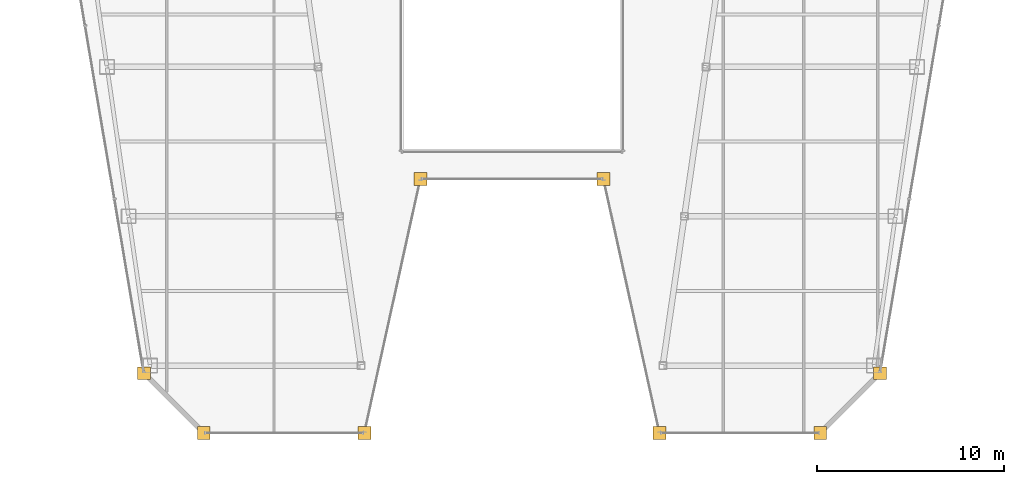
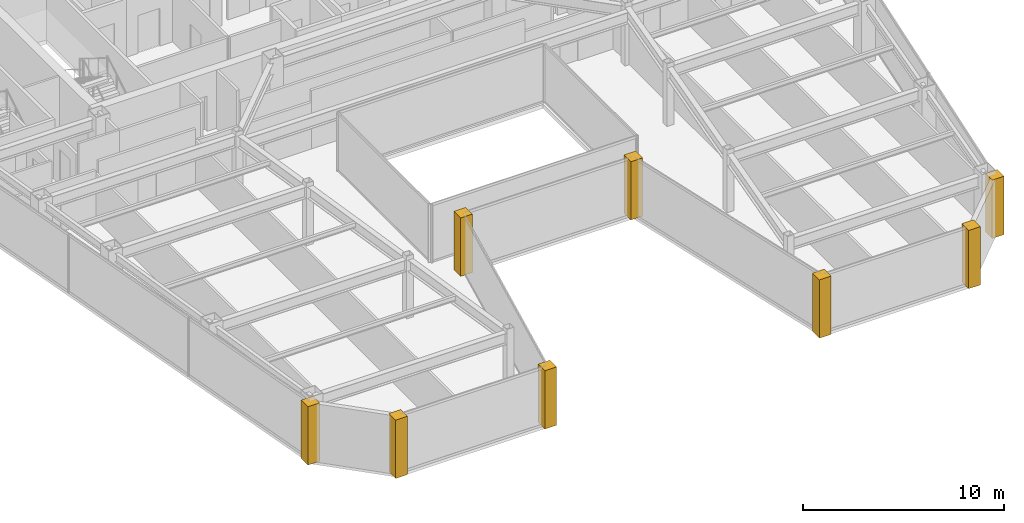
# One storey, part 34 of 36: 8 coverings.
"""IFC4 building model written with IfcOpenShell, lengths in metres."""

from ifc_helpers import new_model, si_unit, direction, frame, origin, place, context, subcontext, project, spatial, polyline, outline, extrude, material, layer, layer_set, type_object, element, save


model = new_model("IFC4")

# Units and contexts
model_context = context("Model", 3, precision=1e-05, world=origin(), true_north=direction((0.0, 1.0)))
body_context = subcontext(model_context, "Body", "Model", "MODEL_VIEW")
ifc_project = project(units=[si_unit("LENGTHUNIT", "METRE"), si_unit("AREAUNIT", "SQUARE_METRE"), si_unit("VOLUMEUNIT", "CUBIC_METRE"), si_unit("PLANEANGLEUNIT", "RADIAN"), si_unit("MASSUNIT", "GRAM", prefix="KILO")], contexts=[model_context])

# Site, building, storey
site_placement = place(None, origin())
site = spatial("IfcSite", under=ifc_project, at=site_placement, CompositionType="ELEMENT")
building_placement = place(site_placement, origin())
building = spatial("IfcBuilding", under=site, at=building_placement, Name="Saevonmaru Cultural Tower", CompositionType="ELEMENT")
storey_placement = place(building_placement, frame((0.0, 0.0, 201.800048828125)))
storey = spatial("IfcBuildingStorey", under=building, at=storey_placement, Name="L46", CompositionType="ELEMENT", Elevation=201.800048828125)

# Coverings
ifc_material = material(Name="Satin Bronze Anodised Aluminium", Category="aluminium")
ifc_layer = layer(ifc_material, 0.679931640625, Name="Satin Bronze Anodised Aluminium")
ifc_layer_set = layer_set([ifc_layer], Name="Satin Bronze Anodised Aluminium")
covering_type = type_object("IfcCoveringType", Name="CV-CORNER-CLAD", PredefinedType="CLADDING", material=ifc_layer_set)
covering_1_placement = place(storey_placement, origin())
element("IfcCovering", 1, at=covering_1_placement, inside=storey, type_object=covering_type, Name="L46 Tower Bronze Corner Cladding Pier 1", PredefinedType="CLADDING", context=body_context, shape_type="SweptSolid", body=[
    extrude(outline(polyline([(9.9580078125, 15.260009765625), (10.637939453125, 15.260009765625), (10.637939453125, 15.93994140625), (9.9580078125, 15.93994140625), (9.9580078125, 15.260009765625)])), origin(), (0.0, 0.0, 1.0), 3.550048828125),
])
covering_2_placement = place(storey_placement, origin())
element("IfcCovering", 2, at=covering_2_placement, inside=storey, type_object=covering_type, Name="L46 Tower Bronze Corner Cladding Pier 2", PredefinedType="CLADDING", context=body_context, shape_type="SweptSolid", body=[
    extrude(outline(polyline([(13.157958984375, 12.06005859375), (13.837890625, 12.06005859375), (13.837890625, 12.739990234375), (13.157958984375, 12.739990234375), (13.157958984375, 12.06005859375)])), origin(), (0.0, 0.0, 1.0), 3.550048828125),
])
covering_3_placement = place(storey_placement, origin())
element("IfcCovering", 3, at=covering_3_placement, inside=storey, type_object=covering_type, Name="L46 Tower Bronze Corner Cladding Pier 3", PredefinedType="CLADDING", context=body_context, shape_type="SweptSolid", body=[
    extrude(outline(polyline([(21.758056640625, 12.06005859375), (22.43798828125, 12.06005859375), (22.43798828125, 12.739990234375), (21.758056640625, 12.739990234375), (21.758056640625, 12.06005859375)])), origin(), (0.0, 0.0, 1.0), 3.550048828125),
])
covering_4_placement = place(storey_placement, origin())
element("IfcCovering", 4, at=covering_4_placement, inside=storey, type_object=covering_type, Name="L46 Tower Bronze Corner Cladding Pier 4", PredefinedType="CLADDING", context=body_context, shape_type="SweptSolid", body=[
    extrude(outline(polyline([(24.758056640625, 25.659912109375), (25.43798828125, 25.659912109375), (25.43798828125, 26.340087890625), (24.758056640625, 26.340087890625), (24.758056640625, 25.659912109375)])), origin(), (0.0, 0.0, 1.0), 3.550048828125),
])
covering_5_placement = place(storey_placement, origin())
element("IfcCovering", 5, at=covering_5_placement, inside=storey, type_object=covering_type, Name="L46 Tower Bronze Corner Cladding Pier 5", PredefinedType="CLADDING", context=body_context, shape_type="SweptSolid", body=[
    extrude(outline(polyline([(34.56201171875, 25.659912109375), (35.241943359375, 25.659912109375), (35.241943359375, 26.340087890625), (34.56201171875, 26.340087890625), (34.56201171875, 25.659912109375)])), origin(), (0.0, 0.0, 1.0), 3.550048828125),
])
covering_6_placement = place(storey_placement, origin())
element("IfcCovering", 6, at=covering_6_placement, inside=storey, type_object=covering_type, Name="L46 Tower Bronze Corner Cladding Pier 6", PredefinedType="CLADDING", context=body_context, shape_type="SweptSolid", body=[
    extrude(outline(polyline([(37.56201171875, 12.06005859375), (38.241943359375, 12.06005859375), (38.241943359375, 12.739990234375), (37.56201171875, 12.739990234375), (37.56201171875, 12.06005859375)])), origin(), (0.0, 0.0, 1.0), 3.550048828125),
])
covering_7_placement = place(storey_placement, origin())
element("IfcCovering", 7, at=covering_7_placement, inside=storey, type_object=covering_type, Name="L46 Tower Bronze Corner Cladding Pier 7", PredefinedType="CLADDING", context=body_context, shape_type="SweptSolid", body=[
    extrude(outline(polyline([(46.162109375, 12.06005859375), (46.842041015625, 12.06005859375), (46.842041015625, 12.739990234375), (46.162109375, 12.739990234375), (46.162109375, 12.06005859375)])), origin(), (0.0, 0.0, 1.0), 3.550048828125),
])
covering_8_placement = place(storey_placement, origin())
element("IfcCovering", 8, at=covering_8_placement, inside=storey, type_object=covering_type, Name="L46 Tower Bronze Corner Cladding Pier 8", PredefinedType="CLADDING", context=body_context, shape_type="SweptSolid", body=[
    extrude(outline(polyline([(49.362060546875, 15.260009765625), (50.0419921875, 15.260009765625), (50.0419921875, 15.93994140625), (49.362060546875, 15.93994140625), (49.362060546875, 15.260009765625)])), origin(), (0.0, 0.0, 1.0), 3.550048828125),
])

save(model, "model.ifc")
